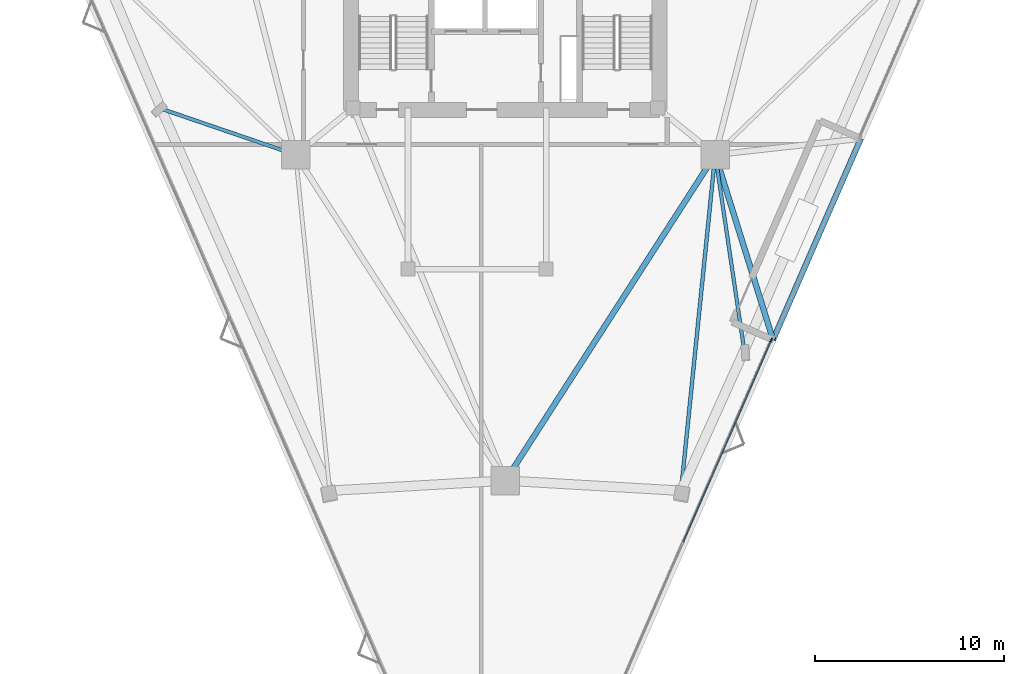
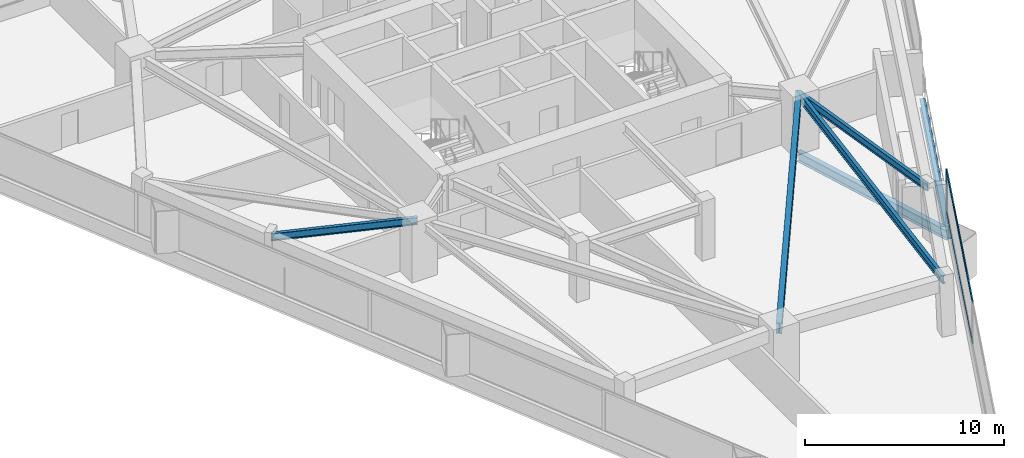
# One storey, part 3 of 11: 6 beams, 3 members, 1 element without a shape of its own.
"""IFC4 building model written with IfcOpenShell, lengths in metres."""

from ifc_helpers import new_model, si_unit, direction, frame, origin, origin_2d, place, context, subcontext, project, spatial, rectangle, i_section, extrude, material, layer, layer_set, material_profile, profile_set, type_object, element, aggregate, save


model = new_model("IFC4")

# Units and contexts
model_context = context("Model", 3, precision=1e-05, world=origin(), true_north=direction((0.0, 1.0)))
body_context = subcontext(model_context, "Body", "Model", "MODEL_VIEW")
ifc_project = project(units=[si_unit("LENGTHUNIT", "METRE"), si_unit("AREAUNIT", "SQUARE_METRE"), si_unit("VOLUMEUNIT", "CUBIC_METRE"), si_unit("PLANEANGLEUNIT", "RADIAN"), si_unit("MASSUNIT", "GRAM", prefix="KILO")], contexts=[model_context])

# Site, building, storey
site_placement = place(None, origin())
site = spatial("IfcSite", under=ifc_project, at=site_placement, CompositionType="ELEMENT")
building_placement = place(site_placement, origin())
building = spatial("IfcBuilding", under=site, at=building_placement, Name="Talyreon Biosciences Tower", CompositionType="ELEMENT")
storey_placement = place(building_placement, frame((0.0, 0.0, 149.10009765625)))
storey = spatial("IfcBuildingStorey", under=building, at=storey_placement, Name="L39", CompositionType="ELEMENT", Elevation=149.10009765625)

# Curtain wall, members
ifc_material_1 = material(Name="Thermally broken aluminium and low-E glazing", Category="aluminium")
ifc_layer = layer(ifc_material_1, 0.205078125)
ifc_layer_set = layer_set([ifc_layer], Name="Thermally broken aluminium and low-E glazing")
curtain_wall_type = type_object("IfcCurtainWallType", Name="CurtainWall_SkyGardenLoggia", PredefinedType="NOTDEFINED", material=ifc_layer_set)
curtain_wall_placement = place(storey_placement, origin())
curtain_wall = element("IfcCurtainWall", 1, at=curtain_wall_placement, inside=storey, type_object=curtain_wall_type, Name="L39 Unitised Curtain Wall FCW-L39-11", PredefinedType="NOTDEFINED")
ifc_material_2 = material(Name="Anodised thermally broken aluminium", Category="aluminium")
ifc_material_profile_1 = material_profile(ifc_material_2, rectangle(XDim=0.074951171875, YDim=0.2099609375, at=origin_2d()), Name="ALUM MULLION 75x210")
ifc_profile_set_1 = profile_set([ifc_material_profile_1], Name="Anodised thermally broken aluminium")
member_type_1 = type_object("IfcMemberType", Name="CWMullion_75x210", PredefinedType="MULLION", material=ifc_profile_set_1)
member_1_placement = place(storey_placement, frame((80.05615234375, 49.0986328125, 0.809814453125), z_axis=(0.0, 0.0, 1.0), x_axis=(0.916646919811, -0.399697916434, 0.0)))
member_1 = element("IfcMember", 2, at=member_1_placement, type_object=member_type_1, Name="CW7 mullion 1", PredefinedType="MULLION", context=body_context, shape_type="SweptSolid", body=[
    extrude(rectangle(XDim=0.074951171875, YDim=0.2099609375, at=origin_2d()), origin(), (0.0, 0.0, 1.0), 2.565185546875),
])
ifc_material_profile_2 = material_profile(ifc_material_2, rectangle(XDim=0.06494140625, YDim=0.139892578125, at=origin_2d()), Name="ALUM TRANSOM 65x140")
ifc_profile_set_2 = profile_set([ifc_material_profile_2], Name="Anodised thermally broken aluminium")
member_type_2 = type_object("IfcMemberType", Name="CWTransom_65x140", PredefinedType="USERDEFINED", material=ifc_profile_set_2)
member_2_placement = place(storey_placement, frame((80.041259765625, 49.064208984375, 0.84228515625), z_axis=(-0.399706304739, -0.916643262099, 0.0), x_axis=(0.916643262099, -0.399706304739, 0.0)))
member_2 = element("IfcMember", 3, at=member_2_placement, type_object=member_type_2, Name="CW7 transom 1.1", ObjectType="TRANSOM", PredefinedType="USERDEFINED", context=body_context, shape_type="SweptSolid", body=[
    extrude(rectangle(XDim=0.06494140625, YDim=0.139892578125, at=origin_2d()), origin(), (0.0, 0.0, 1.0), 11.61865234375),
])
member_3_placement = place(storey_placement, frame((80.041259765625, 49.064208984375, 3.34228515625), z_axis=(-0.399706304739, -0.916643262099, 0.0), x_axis=(0.916643262099, -0.399706304739, 0.0)))
member_3 = element("IfcMember", 4, at=member_3_placement, type_object=member_type_2, Name="CW7 transom 1.2", ObjectType="TRANSOM", PredefinedType="USERDEFINED", context=body_context, shape_type="SweptSolid", body=[
    extrude(rectangle(XDim=0.06494140625, YDim=0.139892578125, at=origin_2d()), origin(), (0.0, 0.0, 1.0), 11.61865234375),
])
aggregate(curtain_wall, [member_1, member_2, member_3])

# Beams
ifc_material_3 = material(Name="Steel SM355", Category="steel")
ifc_material_profile_3 = material_profile(ifc_material_3, i_section(OverallWidth=0.300048828125, OverallDepth=0.60009765625, WebThickness=0.015380859375, FlangeThickness=0.030029296875, FilletRadius=0.027099609375, at=origin_2d()), Name="HE600B")
ifc_profile_set_3 = profile_set([ifc_material_profile_3], Name="Steel SM355")
beam_type_1 = type_object("IfcBeamType", Name="SteelBeam_HE600B", PredefinedType="BEAM", material=ifc_profile_set_3)
beam_1_placement = place(storey_placement, frame((77.086181640625, 58.88037109375, -0.630126953125), z_axis=(0.298481204455, -0.954415512545, 0.0), x_axis=(0.954415512545, 0.298481204455, 0.0)))
element("IfcBeam", 5, at=beam_1_placement, inside=storey, type_object=beam_type_1, Name="L39 Sky-Garden Terrace Edge Outrigger 1", PredefinedType="BEAM", context=body_context, shape_type="SweptSolid", body=[
    extrude(i_section(OverallWidth=0.300048828125, OverallDepth=0.60009765625, WebThickness=0.015380859375, FlangeThickness=0.030029296875, FilletRadius=0.027099609375, at=origin_2d()), origin(), (0.0, 0.0, 1.0), 10.246337890625),
])
beam_2_placement = place(storey_placement, frame((80.14453125, 49.10107421875, -0.630126953125), z_axis=(0.399697883631, 0.916646934114, 0.0), x_axis=(-0.916646934114, 0.399697883631, 0.0)))
element("IfcBeam", 6, at=beam_2_placement, inside=storey, type_object=beam_type_1, Name="L39 Sky-Garden Terrace Outer Edge Beam", PredefinedType="BEAM", context=body_context, shape_type="SweptSolid", body=[
    extrude(i_section(OverallWidth=0.300048828125, OverallDepth=0.60009765625, WebThickness=0.015380859375, FlangeThickness=0.030029296875, FilletRadius=0.027099609375, at=origin_2d()), origin(), (0.0, 0.0, 1.0), 11.599853515625),
])
ifc_material_profile_4 = material_profile(ifc_material_3, i_section(OverallWidth=0.300048828125, OverallDepth=0.64990234375, WebThickness=0.01611328125, FlangeThickness=0.031005859375, FilletRadius=0.027099609375, at=origin_2d()), Name="HE650B")
ifc_profile_set_4 = profile_set([ifc_material_profile_4], Name="Steel SM355")
beam_type_2 = type_object("IfcBeamType", Name="SteelBeam_HE650B", PredefinedType="BEAM", material=ifc_profile_set_4)
beam_3_placement = place(storey_placement, frame((66.0, 41.6669921875, 3.0498046875), z_axis=(0.541463723609, 0.840724114092, 0.0), x_axis=(-0.840724114092, 0.541463723609, 0.0)))
element("IfcBeam", 7, at=beam_3_placement, inside=storey, type_object=beam_type_2, Name="L39 Mega-Ring Girder 1", PredefinedType="BEAM", context=body_context, shape_type="SweptSolid", body=[
    extrude(i_section(OverallWidth=0.300048828125, OverallDepth=0.64990234375, WebThickness=0.01611328125, FlangeThickness=0.031005859375, FilletRadius=0.027099609375, at=origin_2d()), origin(), (0.0, 0.0, 1.0), 20.474365234375),
])
ifc_material_profile_5 = material_profile(ifc_material_3, i_section(OverallWidth=0.18994140625, OverallDepth=0.449951171875, WebThickness=0.009521484375, FlangeThickness=0.0146484375, FilletRadius=0.02099609375, at=origin_2d()), Name="IPE450")
ifc_profile_set_5 = profile_set([ifc_material_profile_5], Name="Steel SM355")
beam_type_3 = type_object("IfcBeamType", Name="SteelJoist_IPE450", PredefinedType="JOIST", material=ifc_profile_set_5)
beam_4_placement = place(storey_placement, frame((77.086181640625, 58.88037109375, 3.14990234375), z_axis=(0.146866032796, -0.989156392291, 0.0), x_axis=(0.989156392291, 0.146866032796, 0.0)))
element("IfcBeam", 8, at=beam_4_placement, inside=storey, type_object=beam_type_3, Name="L39 Radial Composite Floor Joist PL-SE", PredefinedType="JOIST", context=body_context, shape_type="SweptSolid", body=[
    extrude(i_section(OverallWidth=0.18994140625, OverallDepth=0.449951171875, WebThickness=0.009521484375, FlangeThickness=0.0146484375, FilletRadius=0.02099609375, at=origin_2d()), origin(), (0.0, 0.0, 1.0), 10.454345703125),
])
beam_5_placement = place(storey_placement, frame((54.913818359375, 58.88037109375, 3.14990234375), z_axis=(-0.946066994345, 0.3239710515, 0.0), x_axis=(-0.3239710515, -0.946066994345, 0.0)))
element("IfcBeam", 9, at=beam_5_placement, inside=storey, type_object=beam_type_3, Name="L39 Radial Composite Floor Joist PL-SW", PredefinedType="JOIST", context=body_context, shape_type="SweptSolid", body=[
    extrude(i_section(OverallWidth=0.18994140625, OverallDepth=0.449951171875, WebThickness=0.009521484375, FlangeThickness=0.0146484375, FilletRadius=0.02099609375, at=origin_2d()), origin(), (0.0, 0.0, 1.0), 7.509521484375),
])
ifc_material_profile_6 = material_profile(ifc_material_3, i_section(OverallWidth=0.199951171875, OverallDepth=0.5, WebThickness=0.01025390625, FlangeThickness=0.01611328125, FilletRadius=0.02099609375, at=origin_2d()), Name="IPE500")
ifc_profile_set_6 = profile_set([ifc_material_profile_6], Name="Steel SM355")
beam_type_4 = type_object("IfcBeamType", Name="SteelJoist_IPE500", PredefinedType="JOIST", material=ifc_profile_set_6)
beam_6_placement = place(storey_placement, frame((77.086181640625, 58.88037109375, 3.125), z_axis=(-0.101137296212, -0.994872477916, 0.0), x_axis=(0.994872477916, -0.101137296212, 0.0)))
element("IfcBeam", 10, at=beam_6_placement, inside=storey, type_object=beam_type_4, Name="L39 Radial Composite Floor Joist PC-SE1", PredefinedType="JOIST", context=body_context, shape_type="SweptSolid", body=[
    extrude(i_section(OverallWidth=0.199951171875, OverallDepth=0.5, WebThickness=0.01025390625, FlangeThickness=0.01611328125, FilletRadius=0.02099609375, at=origin_2d()), origin(), (0.0, 0.0, 1.0), 17.843994140625),
])

save(model, "model.ifc")
